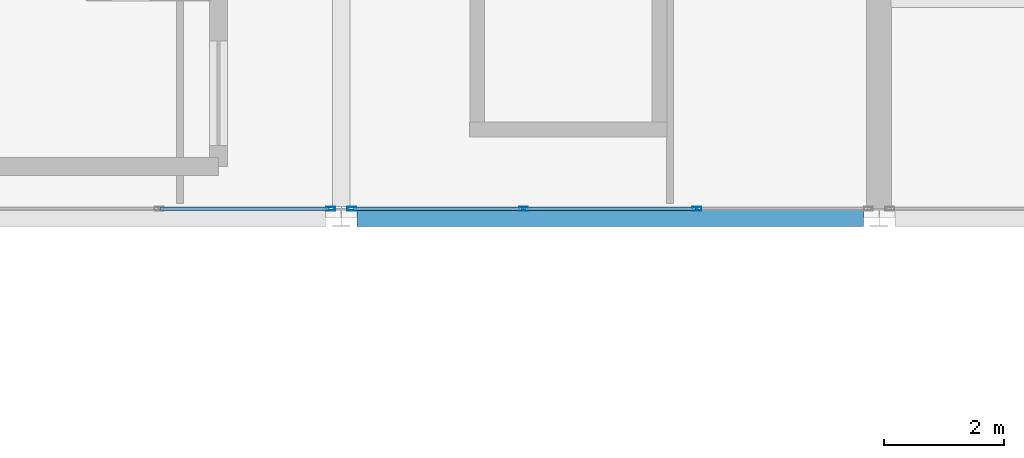
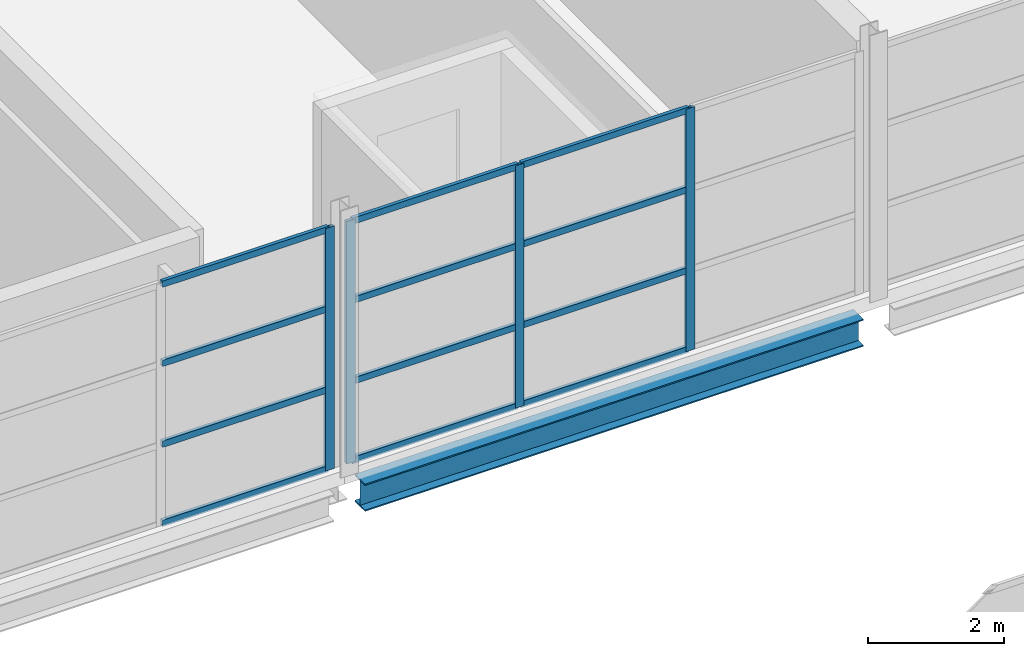
# One storey, part 44 of 134: 16 members, 1 beam, 2 elements without a shape of their own.
"""IFC4 building model written with IfcOpenShell, lengths in metres."""

from ifc_helpers import new_model, si_unit, direction, frame, origin, origin_2d, place, context, subcontext, project, spatial, hollow_rectangle, i_section, extrude, material, layer, layer_set, material_profile, profile_set, type_object, element, aggregate, save


model = new_model("IFC4")

# Units and contexts
model_context = context("Model", 3, precision=1e-05, world=origin(), true_north=direction((0.0, 1.0)))
body_context = subcontext(model_context, "Body", "Model", "MODEL_VIEW")
ifc_project = project(units=[si_unit("LENGTHUNIT", "METRE"), si_unit("AREAUNIT", "SQUARE_METRE"), si_unit("VOLUMEUNIT", "CUBIC_METRE"), si_unit("PLANEANGLEUNIT", "RADIAN"), si_unit("MASSUNIT", "GRAM", prefix="KILO")], contexts=[model_context])

# Site, building, storey
site_placement = place(None, origin())
site = spatial("IfcSite", under=ifc_project, at=site_placement, CompositionType="ELEMENT")
building_placement = place(site_placement, origin())
building = spatial("IfcBuilding", under=site, at=building_placement, Name="Tamarisk Ironworks Central Station", CompositionType="ELEMENT")
storey_placement = place(building_placement, frame((0.0, 0.0, 12.60009765625)))
storey = spatial("IfcBuildingStorey", under=building, at=storey_placement, Name="L02", CompositionType="ELEMENT", Elevation=12.60009765625)

# Beam
ifc_material_1 = material(Name="Structural steel S355J2", Category="steel")
ifc_material_profile_1 = material_profile(ifc_material_1, i_section(OverallWidth=0.300048828125, OverallDepth=0.489990234375, WebThickness=0.011962890625, FlangeThickness=0.02294921875, at=origin_2d()), Name="HEA 500")
ifc_profile_set_1 = profile_set([ifc_material_profile_1], Name="Structural steel S355J2")
beam_type = type_object("IfcBeamType", Name="BM-G05", PredefinedType="BEAM", material=ifc_profile_set_1)
beam_placement = place(storey_placement, frame((18.262939453125, 90.0, -0.4951171875), z_axis=(1.0, 0.0, 0.0), x_axis=(0.0, 1.0, 0.0)))
element("IfcBeam", 1, at=beam_placement, inside=storey, type_object=beam_type, Name="L02 primary girder X-0370", PredefinedType="BEAM", context=body_context, shape_type="SweptSolid", body=[
    extrude(i_section(OverallWidth=0.300048828125, OverallDepth=0.489990234375, WebThickness=0.011962890625, FlangeThickness=0.02294921875, at=origin_2d()), origin(), (0.0, 0.0, 1.0), 8.47412109375),
])

# Curtain wall, member
ifc_material_2 = material(Name="Anodized aluminium alloy 6063-T6", Category="aluminium")
ifc_layer = layer(ifc_material_2, 0.179931640625)
ifc_layer_set = layer_set([ifc_layer], Name="Anodized aluminium alloy 6063-T6")
curtain_wall_type = type_object("IfcCurtainWallType", Name="CW-11", PredefinedType="USERDEFINED", material=ifc_layer_set)
curtain_wall_1_placement = place(storey_placement, origin())
curtain_wall_1 = element("IfcCurtainWall", 2, at=curtain_wall_1_placement, inside=storey, type_object=curtain_wall_type, Name="Pavilion L02 S glazed arcade 09", ObjectType="GLAZED CURTAIN WALL", PredefinedType="USERDEFINED")
ifc_material_profile_2 = material_profile(ifc_material_2, hollow_rectangle(XDim=0.06005859375, YDim=0.14990234375, WallThickness=0.00341796875, at=origin_2d()), Name="ALUM 150x60")
ifc_profile_set_2 = profile_set([ifc_material_profile_2], Name="Anodized aluminium alloy 6063-T6")
member_type_1 = type_object("IfcMemberType", Name="CWM-03", PredefinedType="MULLION", material=ifc_profile_set_2)
member_1_placement = place(storey_placement, frame((17.822021484375, 90.14990234375, 0.0), z_axis=(0.0, 0.0, 1.0), x_axis=(0.0, 1.0, 0.0)))
member_1 = element("IfcMember", 3, at=member_1_placement, type_object=member_type_1, Name="CW11 mullion 4", PredefinedType="MULLION", context=body_context, shape_type="SweptSolid", body=[
    extrude(hollow_rectangle(XDim=0.06005859375, YDim=0.14990234375, WallThickness=0.00341796875, at=origin_2d()), origin(), (0.0, 0.0, 1.0), 4.35986328125),
])

# Curtain wall, members
curtain_wall_2_placement = place(storey_placement, origin())
curtain_wall_2 = element("IfcCurtainWall", 4, at=curtain_wall_2_placement, inside=storey, type_object=curtain_wall_type, Name="Pavilion L02 S glazed arcade 18", ObjectType="GLAZED CURTAIN WALL", PredefinedType="USERDEFINED")
member_2_placement = place(storey_placement, frame((18.177978515625, 90.14990234375, 0.0), z_axis=(0.0, 0.0, 1.0), x_axis=(0.0, 1.0, 0.0)))
member_2 = element("IfcMember", 5, at=member_2_placement, type_object=member_type_1, Name="CW11 mullion 1", PredefinedType="MULLION", context=body_context, shape_type="SweptSolid", body=[
    extrude(hollow_rectangle(XDim=0.06005859375, YDim=0.14990234375, WallThickness=0.00341796875, at=origin_2d()), origin(), (0.0, 0.0, 1.0), 4.35986328125),
])
member_3_placement = place(storey_placement, frame((21.04931640625, 90.14990234375, 0.0), z_axis=(0.0, 0.0, 1.0), x_axis=(0.0, 1.0, 0.0)))
member_3 = element("IfcMember", 6, at=member_3_placement, type_object=member_type_1, Name="CW11 mullion 2", PredefinedType="MULLION", context=body_context, shape_type="SweptSolid", body=[
    extrude(hollow_rectangle(XDim=0.06005859375, YDim=0.14990234375, WallThickness=0.00341796875, at=origin_2d()), origin(), (0.0, 0.0, 1.0), 4.35986328125),
])
member_4_placement = place(storey_placement, frame((23.95068359375, 90.14990234375, 0.0), z_axis=(0.0, 0.0, 1.0), x_axis=(0.0, 1.0, 0.0)))
member_4 = element("IfcMember", 7, at=member_4_placement, type_object=member_type_1, Name="CW11 mullion 3", PredefinedType="MULLION", context=body_context, shape_type="SweptSolid", body=[
    extrude(hollow_rectangle(XDim=0.06005859375, YDim=0.14990234375, WallThickness=0.00341796875, at=origin_2d()), origin(), (0.0, 0.0, 1.0), 4.35986328125),
])

# Member
ifc_material_profile_3 = material_profile(ifc_material_2, hollow_rectangle(XDim=0.06005859375, YDim=0.114990234375, WallThickness=0.00341796875, at=origin_2d()), Name="ALUM 115x60")
ifc_profile_set_3 = profile_set([ifc_material_profile_3], Name="Anodized aluminium alloy 6063-T6")
member_type_2 = type_object("IfcMemberType", Name="CWT-03", PredefinedType="USERDEFINED", material=ifc_profile_set_3)
member_5_placement = place(storey_placement, frame((14.9765625, 90.14990234375, 0.02978515625), z_axis=(1.0, 0.0, 0.0), x_axis=(0.0, 1.0, 0.0)))
member_5 = element("IfcMember", 8, at=member_5_placement, type_object=member_type_2, Name="CW11 transom 3.1", ObjectType="TRANSOM", PredefinedType="USERDEFINED", context=body_context, shape_type="SweptSolid", body=[
    extrude(hollow_rectangle(XDim=0.06005859375, YDim=0.114990234375, WallThickness=0.00341796875, at=origin_2d()), origin(), (0.0, 0.0, 1.0), 2.8193359375),
])

member_6_placement = place(storey_placement, frame((14.9765625, 90.14990234375, 1.453125), z_axis=(1.0, 0.0, 0.0), x_axis=(0.0, 1.0, 0.0)))
member_6 = element("IfcMember", 9, at=member_6_placement, type_object=member_type_2, Name="CW11 transom 3.2", ObjectType="TRANSOM", PredefinedType="USERDEFINED", context=body_context, shape_type="SweptSolid", body=[
    extrude(hollow_rectangle(XDim=0.06005859375, YDim=0.114990234375, WallThickness=0.00341796875, at=origin_2d()), origin(), (0.0, 0.0, 1.0), 2.8193359375),
])

member_7_placement = place(storey_placement, frame((14.9765625, 90.14990234375, 2.906494140625), z_axis=(1.0, 0.0, 0.0), x_axis=(0.0, 1.0, 0.0)))
member_7 = element("IfcMember", 10, at=member_7_placement, type_object=member_type_2, Name="CW11 transom 3.3", ObjectType="TRANSOM", PredefinedType="USERDEFINED", context=body_context, shape_type="SweptSolid", body=[
    extrude(hollow_rectangle(XDim=0.06005859375, YDim=0.114990234375, WallThickness=0.00341796875, at=origin_2d()), origin(), (0.0, 0.0, 1.0), 2.8193359375),
])

member_8_placement = place(storey_placement, frame((14.9765625, 90.14990234375, 4.329833984375), z_axis=(1.0, 0.0, 0.0), x_axis=(0.0, 1.0, 0.0)))
member_8 = element("IfcMember", 11, at=member_8_placement, type_object=member_type_2, Name="CW11 transom 3.4", ObjectType="TRANSOM", PredefinedType="USERDEFINED", context=body_context, shape_type="SweptSolid", body=[
    extrude(hollow_rectangle(XDim=0.06005859375, YDim=0.114990234375, WallThickness=0.00341796875, at=origin_2d()), origin(), (0.0, 0.0, 1.0), 2.8193359375),
])

aggregate(curtain_wall_1, [member_1, member_5, member_6, member_7, member_8])

member_9_placement = place(storey_placement, frame((18.2041015625, 90.14990234375, 0.02978515625), z_axis=(1.0, 0.0, 0.0), x_axis=(0.0, 1.0, 0.0)))
member_9 = element("IfcMember", 12, at=member_9_placement, type_object=member_type_2, Name="CW11 transom 1.1", ObjectType="TRANSOM", PredefinedType="USERDEFINED", context=body_context, shape_type="SweptSolid", body=[
    extrude(hollow_rectangle(XDim=0.06005859375, YDim=0.114990234375, WallThickness=0.00341796875, at=origin_2d()), origin(), (0.0, 0.0, 1.0), 2.8193359375),
])

member_10_placement = place(storey_placement, frame((18.2041015625, 90.14990234375, 1.453125), z_axis=(1.0, 0.0, 0.0), x_axis=(0.0, 1.0, 0.0)))
member_10 = element("IfcMember", 13, at=member_10_placement, type_object=member_type_2, Name="CW11 transom 1.2", ObjectType="TRANSOM", PredefinedType="USERDEFINED", context=body_context, shape_type="SweptSolid", body=[
    extrude(hollow_rectangle(XDim=0.06005859375, YDim=0.114990234375, WallThickness=0.00341796875, at=origin_2d()), origin(), (0.0, 0.0, 1.0), 2.8193359375),
])

member_11_placement = place(storey_placement, frame((18.2041015625, 90.14990234375, 2.906494140625), z_axis=(1.0, 0.0, 0.0), x_axis=(0.0, 1.0, 0.0)))
member_11 = element("IfcMember", 14, at=member_11_placement, type_object=member_type_2, Name="CW11 transom 1.3", ObjectType="TRANSOM", PredefinedType="USERDEFINED", context=body_context, shape_type="SweptSolid", body=[
    extrude(hollow_rectangle(XDim=0.06005859375, YDim=0.114990234375, WallThickness=0.00341796875, at=origin_2d()), origin(), (0.0, 0.0, 1.0), 2.8193359375),
])

member_12_placement = place(storey_placement, frame((18.2041015625, 90.14990234375, 4.329833984375), z_axis=(1.0, 0.0, 0.0), x_axis=(0.0, 1.0, 0.0)))
member_12 = element("IfcMember", 15, at=member_12_placement, type_object=member_type_2, Name="CW11 transom 1.4", ObjectType="TRANSOM", PredefinedType="USERDEFINED", context=body_context, shape_type="SweptSolid", body=[
    extrude(hollow_rectangle(XDim=0.06005859375, YDim=0.114990234375, WallThickness=0.00341796875, at=origin_2d()), origin(), (0.0, 0.0, 1.0), 2.8193359375),
])

member_13_placement = place(storey_placement, frame((21.075439453125, 90.14990234375, 0.02978515625), z_axis=(1.0, 0.0, 0.0), x_axis=(0.0, 1.0, 0.0)))
member_13 = element("IfcMember", 16, at=member_13_placement, type_object=member_type_2, Name="CW11 transom 2.1", ObjectType="TRANSOM", PredefinedType="USERDEFINED", context=body_context, shape_type="SweptSolid", body=[
    extrude(hollow_rectangle(XDim=0.06005859375, YDim=0.114990234375, WallThickness=0.00341796875, at=origin_2d()), origin(), (0.0, 0.0, 1.0), 2.84912109375),
])

member_14_placement = place(storey_placement, frame((21.075439453125, 90.14990234375, 1.453125), z_axis=(1.0, 0.0, 0.0), x_axis=(0.0, 1.0, 0.0)))
member_14 = element("IfcMember", 17, at=member_14_placement, type_object=member_type_2, Name="CW11 transom 2.2", ObjectType="TRANSOM", PredefinedType="USERDEFINED", context=body_context, shape_type="SweptSolid", body=[
    extrude(hollow_rectangle(XDim=0.06005859375, YDim=0.114990234375, WallThickness=0.00341796875, at=origin_2d()), origin(), (0.0, 0.0, 1.0), 2.84912109375),
])

member_15_placement = place(storey_placement, frame((21.075439453125, 90.14990234375, 2.906494140625), z_axis=(1.0, 0.0, 0.0), x_axis=(0.0, 1.0, 0.0)))
member_15 = element("IfcMember", 18, at=member_15_placement, type_object=member_type_2, Name="CW11 transom 2.3", ObjectType="TRANSOM", PredefinedType="USERDEFINED", context=body_context, shape_type="SweptSolid", body=[
    extrude(hollow_rectangle(XDim=0.06005859375, YDim=0.114990234375, WallThickness=0.00341796875, at=origin_2d()), origin(), (0.0, 0.0, 1.0), 2.84912109375),
])

member_16_placement = place(storey_placement, frame((21.075439453125, 90.14990234375, 4.329833984375), z_axis=(1.0, 0.0, 0.0), x_axis=(0.0, 1.0, 0.0)))
member_16 = element("IfcMember", 19, at=member_16_placement, type_object=member_type_2, Name="CW11 transom 2.4", ObjectType="TRANSOM", PredefinedType="USERDEFINED", context=body_context, shape_type="SweptSolid", body=[
    extrude(hollow_rectangle(XDim=0.06005859375, YDim=0.114990234375, WallThickness=0.00341796875, at=origin_2d()), origin(), (0.0, 0.0, 1.0), 2.84912109375),
])

aggregate(curtain_wall_2, [member_2, member_3, member_4, member_9, member_10, member_11, member_12, member_13, member_14, member_15, member_16])

save(model, "model.ifc")
